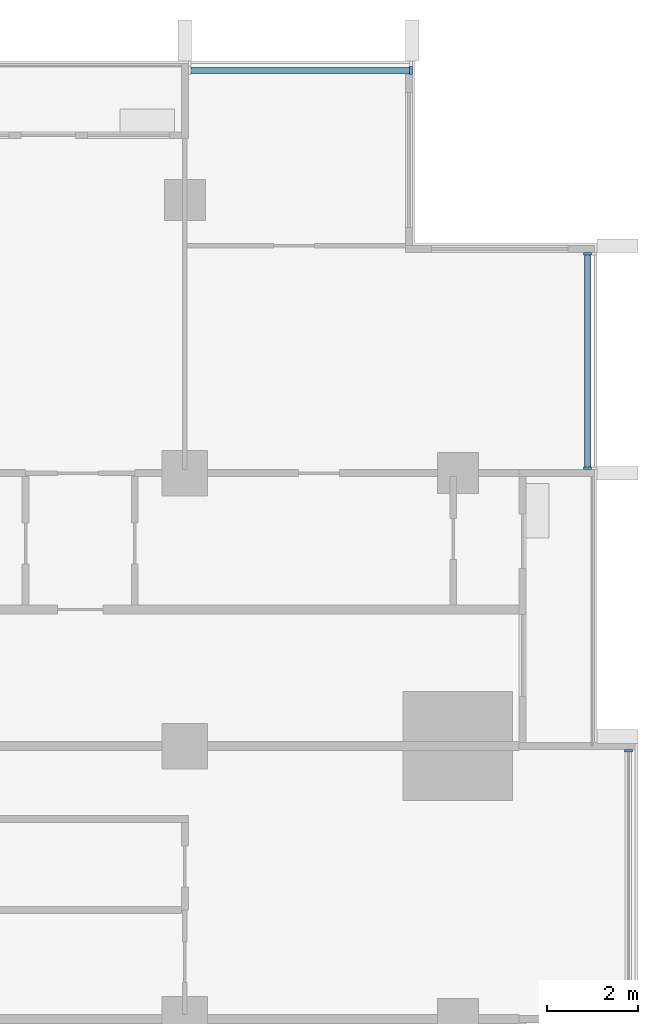
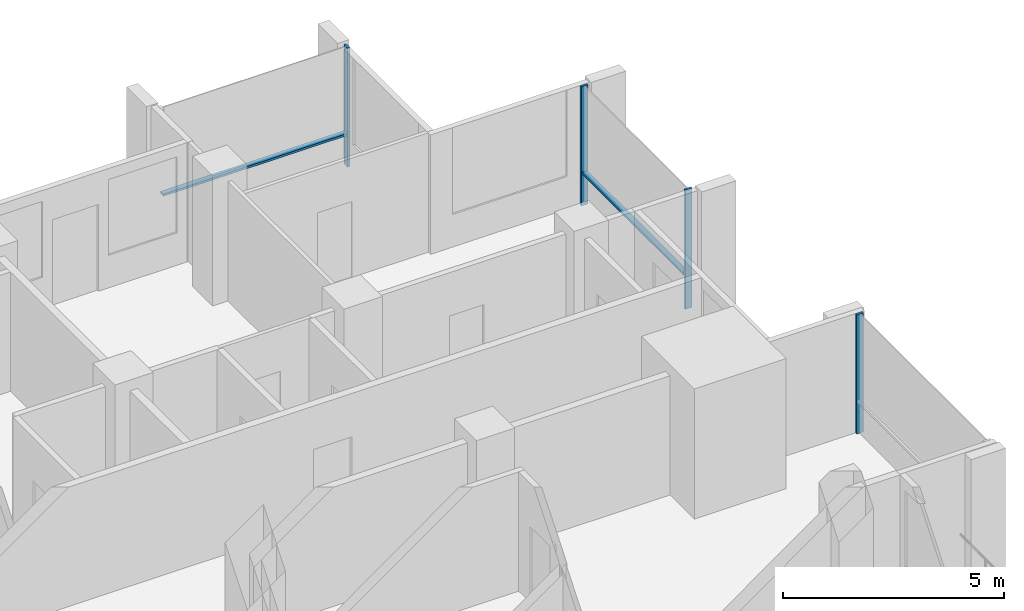
# One storey, part 5 of 17: 6 members, 3 elements without a shape of their own.
"""IFC4 building model written with IfcOpenShell, lengths in metres."""

from ifc_helpers import new_model, si_unit, direction, frame, origin, origin_2d, place, context, subcontext, project, spatial, rectangle, extrude, material, material_profile, profile_set, type_object, element, aggregate, save


model = new_model("IFC4")

# Units and contexts
model_context = context("Model", 3, precision=1e-05, world=origin(), true_north=direction((0.0, 1.0)))
body_context = subcontext(model_context, "Body", "Model", "MODEL_VIEW")
ifc_project = project(units=[si_unit("LENGTHUNIT", "METRE"), si_unit("AREAUNIT", "SQUARE_METRE"), si_unit("VOLUMEUNIT", "CUBIC_METRE"), si_unit("PLANEANGLEUNIT", "RADIAN"), si_unit("MASSUNIT", "GRAM", prefix="KILO")], contexts=[model_context])

# Site, building, storey
site_placement = place(None, origin())
site = spatial("IfcSite", under=ifc_project, at=site_placement, CompositionType="ELEMENT")
building_placement = place(site_placement, origin())
building = spatial("IfcBuilding", under=site, at=building_placement, Name="Finial Court Residences", CompositionType="ELEMENT")
storey_placement = place(building_placement, frame((0.0, 0.0, 181.699951171875)))
storey = spatial("IfcBuildingStorey", under=building, at=storey_placement, Name="L45", CompositionType="ELEMENT", Elevation=181.699951171875)

# Curtain wall, member
ifc_material = material(Name="Bronze anodised aluminium", Category="aluminium")
curtain_wall_type = type_object("IfcCurtainWallType", Name="Unitised curtain wall, upper zones", PredefinedType="NOTDEFINED", material=ifc_material)
curtain_wall_1_placement = place(storey_placement, origin())
curtain_wall_1 = element("IfcCurtainWall", 1, at=curtain_wall_1_placement, inside=storey, type_object=curtain_wall_type, Name="E-L45-CW-N3", PredefinedType="NOTDEFINED")
ifc_material_profile_1 = material_profile(ifc_material, rectangle(XDim=0.175048828125, YDim=0.06005859375, at=origin_2d()), Name="CW2 mullion 60 x 175")
ifc_profile_set_1 = profile_set([ifc_material_profile_1], Name="Bronze anodised aluminium")
member_type_1 = type_object("IfcMemberType", Name="CW2 mullion 60 x 175", PredefinedType="MULLION", material=ifc_profile_set_1)
member_1_placement = place(storey_placement, frame((15.469970703125, 22.35009765625, 0.0), z_axis=(0.0, 0.0, 1.0), x_axis=(0.0, 1.0, 0.0)))
member_1 = element("IfcMember", 2, at=member_1_placement, type_object=member_type_1, Name="CW2 mullion 2", PredefinedType="MULLION", context=body_context, shape_type="SweptSolid", body=[
    extrude(rectangle(XDim=0.175048828125, YDim=0.06005859375, at=origin_2d()), origin(), (0.0, 0.0, 1.0), 3.300048828125),
])

curtain_wall_2_placement = place(storey_placement, origin())
curtain_wall_2 = element("IfcCurtainWall", 3, at=curtain_wall_2_placement, inside=storey, type_object=curtain_wall_type, Name="E-L45-CW-E5", PredefinedType="NOTDEFINED")
member_2_placement = place(storey_placement, frame((20.25, 7.39501953125, 0.0), z_axis=(0.0, 0.0, 1.0), x_axis=(-1.0, 0.0, 0.0)))
member_2 = element("IfcMember", 4, at=member_2_placement, type_object=member_type_1, Name="CW2 mullion 2", PredefinedType="MULLION", context=body_context, shape_type="SweptSolid", body=[
    extrude(rectangle(XDim=0.175048828125, YDim=0.06005859375, at=origin_2d()), origin(), (0.0, 0.0, 1.0), 3.300048828125),
])
aggregate(curtain_wall_2, [member_2])

# Curtain wall, members
curtain_wall_3_placement = place(storey_placement, origin())
curtain_wall_3 = element("IfcCurtainWall", 5, at=curtain_wall_3_placement, inside=storey, type_object=curtain_wall_type, Name="E-L45-CW-E6", PredefinedType="NOTDEFINED")
member_3_placement = place(storey_placement, frame((19.35009765625, 13.60498046875, 0.0), z_axis=(0.0, 0.0, 1.0), x_axis=(-1.0, 0.0, 0.0)))
member_3 = element("IfcMember", 6, at=member_3_placement, type_object=member_type_1, Name="CW2 mullion 1", PredefinedType="MULLION", context=body_context, shape_type="SweptSolid", body=[
    extrude(rectangle(XDim=0.175048828125, YDim=0.06005859375, at=origin_2d()), origin(), (0.0, 0.0, 1.0), 3.300048828125),
])
member_4_placement = place(storey_placement, frame((19.35009765625, 18.320068359375, 0.0), z_axis=(0.0, 0.0, 1.0), x_axis=(-1.0, 0.0, 0.0)))
member_4 = element("IfcMember", 7, at=member_4_placement, type_object=member_type_1, Name="CW2 mullion 2", PredefinedType="MULLION", context=body_context, shape_type="SweptSolid", body=[
    extrude(rectangle(XDim=0.175048828125, YDim=0.06005859375, at=origin_2d()), origin(), (0.0, 0.0, 1.0), 3.300048828125),
])

# Member
ifc_material_profile_2 = material_profile(ifc_material, rectangle(XDim=0.139892578125, YDim=0.06005859375, at=origin_2d()), Name="CW2 transom 60 x 140")
ifc_profile_set_2 = profile_set([ifc_material_profile_2], Name="Bronze anodised aluminium")
member_type_2 = type_object("IfcMemberType", Name="CW2 transom 60 x 140", PredefinedType="USERDEFINED", material=ifc_profile_set_2)
member_5_placement = place(storey_placement, frame((10.635009765625, 22.35009765625, 0.900146484375), z_axis=(1.0, 0.0, 0.0), x_axis=(0.0, 1.0, 0.0)))
member_5 = element("IfcMember", 8, at=member_5_placement, type_object=member_type_2, Name="CW2 transom 1.1", ObjectType="TRANSOM", PredefinedType="USERDEFINED", context=body_context, shape_type="SweptSolid", body=[
    extrude(rectangle(XDim=0.139892578125, YDim=0.06005859375, at=origin_2d()), origin(), (0.0, 0.0, 1.0), 4.804931640625),
])

aggregate(curtain_wall_1, [member_1, member_5])

member_6_placement = place(storey_placement, frame((19.35009765625, 13.635009765625, 0.900146484375), z_axis=(0.0, 1.0, 0.0), x_axis=(-1.0, 0.0, 0.0)))
member_6 = element("IfcMember", 9, at=member_6_placement, type_object=member_type_2, Name="CW2 transom 1.1", ObjectType="TRANSOM", PredefinedType="USERDEFINED", context=body_context, shape_type="SweptSolid", body=[
    extrude(rectangle(XDim=0.139892578125, YDim=0.06005859375, at=origin_2d()), origin(), (0.0, 0.0, 1.0), 4.655029296875),
])

aggregate(curtain_wall_3, [member_3, member_4, member_6])

save(model, "model.ifc")
